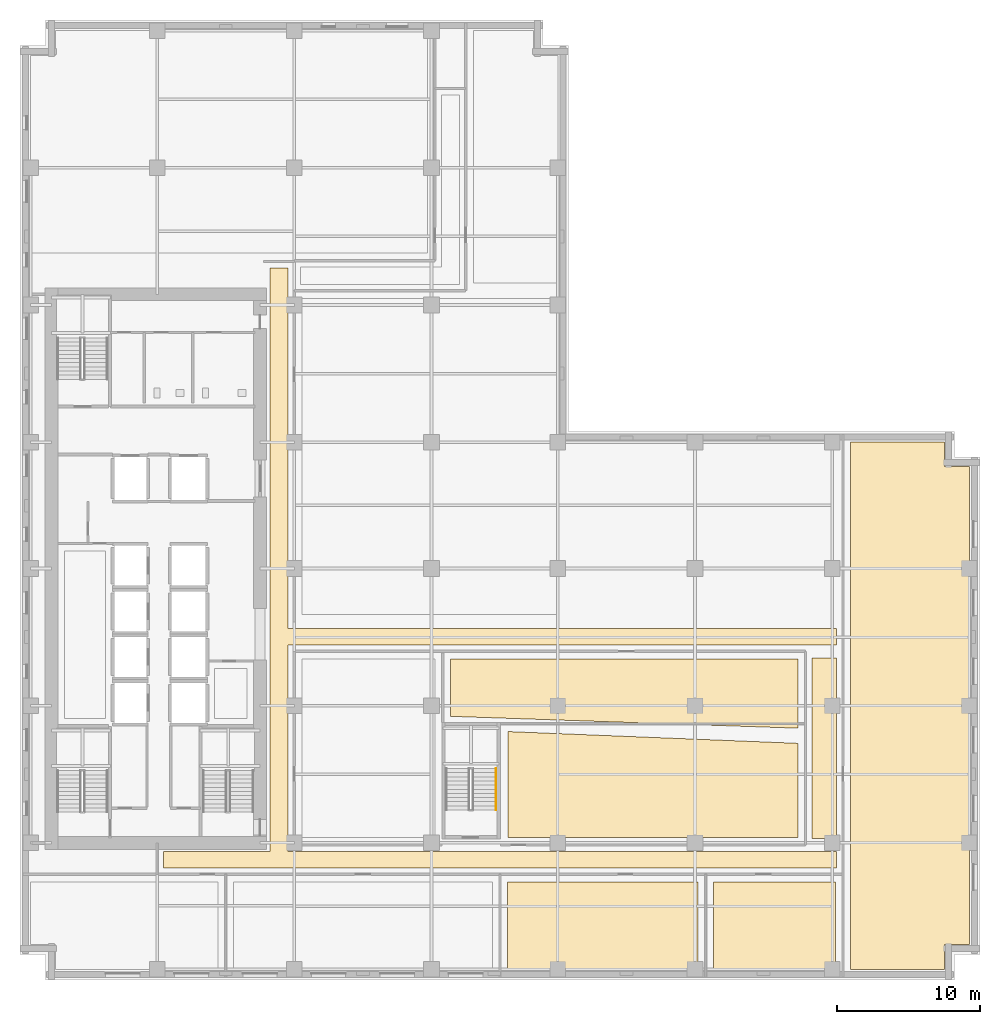
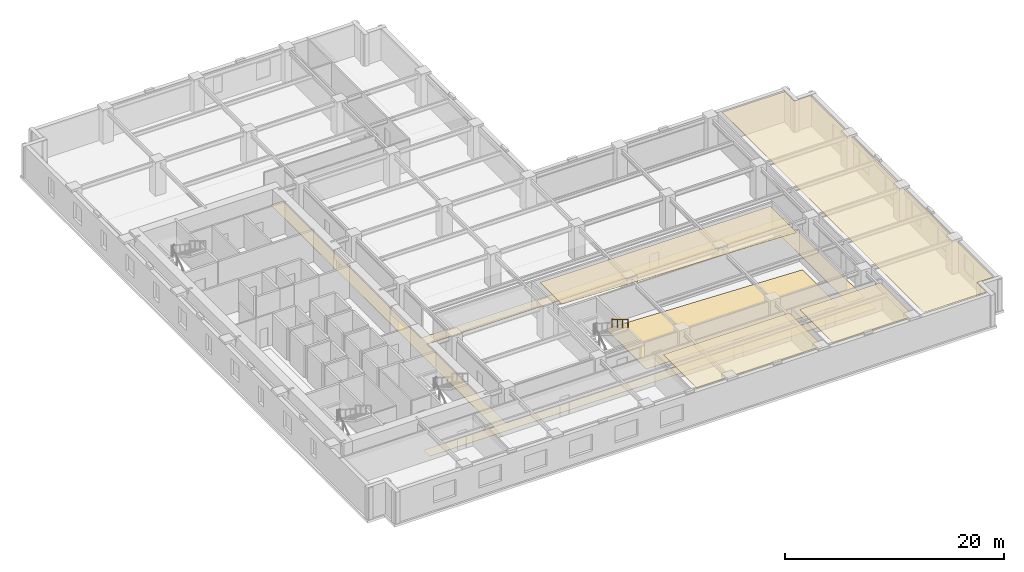
# One storey, part 10 of 13: 7 coverings, 1 railing.
"""IFC4 building model written with IfcOpenShell, lengths in metres."""

from ifc_helpers import new_model, si_unit, direction, frame, origin, origin_2d, place, context, subcontext, project, spatial, polyline, circle, outline, extrude, material, layer, layer_set, type_object, element, save


model = new_model("IFC4")

# Units and contexts
model_context = context("Model", 3, precision=1e-05, world=origin(), true_north=direction((0.0, 1.0)))
body_context = subcontext(model_context, "Body", "Model", "MODEL_VIEW")
ifc_project = project(units=[si_unit("LENGTHUNIT", "METRE"), si_unit("AREAUNIT", "SQUARE_METRE"), si_unit("VOLUMEUNIT", "CUBIC_METRE"), si_unit("PLANEANGLEUNIT", "RADIAN"), si_unit("MASSUNIT", "GRAM", prefix="KILO")], contexts=[model_context])

# Site, building, storey
site_placement = place(None, origin())
site = spatial("IfcSite", under=ifc_project, at=site_placement, CompositionType="ELEMENT")
building_placement = place(site_placement, origin())
building = spatial("IfcBuilding", under=site, at=building_placement, Name="Norrvale University Quadrangle", CompositionType="ELEMENT")
storey_placement = place(building_placement, frame((0.0, 0.0, 81.199951171875)))
storey = spatial("IfcBuildingStorey", under=building, at=storey_placement, Name="L20", CompositionType="ELEMENT", Elevation=81.199951171875)

# Coverings
ifc_material_1 = material(Name="Perforated Acoustic Mineral Ceiling")
ifc_layer_1 = layer(ifc_material_1, 0.02490234375, Name="Perforated Acoustic Mineral Ceiling")
ifc_layer_set_1 = layer_set([ifc_layer_1], Name="Perforated Acoustic Mineral Ceiling")
covering_type_1 = type_object("IfcCoveringType", Name="Covering Acoustic Ceiling 25", PredefinedType="CEILING", material=ifc_layer_set_1)
covering_1_placement = place(storey_placement, frame((0.0, 0.0, 3.51513671875)))
element("IfcCovering", 1, at=covering_1_placement, inside=storey, type_object=covering_type_1, Name="Acoustic Ceiling RM-L20-S03", PredefinedType="CEILING", context=body_context, shape_type="SweptSolid", body=[
    extrude(outline(polyline([(34.1298828125, 6.8701171875), (47.469970703125, 6.8701171875), (47.469970703125, 0.75), (34.1298828125, 0.75), (34.1298828125, 6.8701171875)])), origin(), (0.0, 0.0, 1.0), 0.02490234375),
])
covering_2_placement = place(storey_placement, frame((0.0, 0.0, 3.51513671875)))
element("IfcCovering", 2, at=covering_2_placement, inside=storey, type_object=covering_type_1, Name="Acoustic Ceiling RM-L20-S04", PredefinedType="CEILING", context=body_context, shape_type="SweptSolid", body=[
    extrude(outline(polyline([(48.530029296875, 6.8701171875), (57.070068359375, 6.8701171875), (57.070068359375, 0.75), (48.530029296875, 0.75), (48.530029296875, 6.8701171875)])), origin(), (0.0, 0.0, 1.0), 0.02490234375),
])
covering_3_placement = place(storey_placement, frame((0.0, 0.0, 3.51513671875)))
element("IfcCovering", 3, at=covering_3_placement, inside=storey, type_object=covering_type_1, Name="Acoustic Ceiling RM-L20-E01", PredefinedType="CEILING", context=body_context, shape_type="SweptSolid", body=[
    extrude(outline(polyline([(58.1298828125, 0.75), (58.1298828125, 37.64990234375), (64.72998046875, 37.64990234375), (64.72998046875, 35.929931640625), (66.449951171875, 35.929931640625), (66.449951171875, 2.469970703125), (64.72998046875, 2.469970703125), (64.72998046875, 0.75), (58.1298828125, 0.75)])), origin(), (0.0, 0.0, 1.0), 0.02490234375),
])
covering_4_placement = place(storey_placement, frame((0.0, 0.0, 3.51513671875)))
element("IfcCovering", 4, at=covering_4_placement, inside=storey, type_object=covering_type_1, Name="Acoustic Ceiling RM-L20-ILH", PredefinedType="CEILING", context=body_context, shape_type="SweptSolid", body=[
    extrude(outline(polyline([(30.1298828125, 18.455078125), (30.1298828125, 22.469970703125), (54.445068359375, 22.469970703125), (54.445068359375, 17.6259765625), (30.1298828125, 18.455078125)])), origin(), (0.0, 0.0, 1.0), 0.02490234375),
])
ifc_material_2 = material(Name="Polished Terrazzo Flooring")
ifc_layer_2 = layer(ifc_material_2, 0.02490234375, Name="Polished Terrazzo Flooring")
ifc_layer_set_2 = layer_set([ifc_layer_2], Name="Polished Terrazzo Flooring")
covering_type_2 = type_object("IfcCoveringType", Name="Covering Terrazzo Floor 30", PredefinedType="FLOORING", material=ifc_layer_set_2)
covering_5_placement = place(storey_placement, origin())
element("IfcCovering", 5, at=covering_5_placement, inside=storey, type_object=covering_type_2, Name="Terrazzo Flooring RM-L20-CORR1", PredefinedType="FLOORING", context=body_context, shape_type="SweptSolid", body=[
    extrude(outline(polyline([(10.050048828125, 7.85009765625), (10.050048828125, 9.0), (17.5, 9.0), (17.5, 49.85009765625), (18.75, 49.85009765625), (18.75, 24.60009765625), (57.14990234375, 24.60009765625), (57.14990234375, 23.449951171875), (18.75, 23.449951171875), (18.75, 9.0), (57.14990234375, 9.0), (57.14990234375, 7.85009765625), (10.050048828125, 7.85009765625)])), origin(), (0.0, 0.0, 1.0), 0.025146484375),
])
covering_6_placement = place(storey_placement, origin())
element("IfcCovering", 6, at=covering_6_placement, inside=storey, type_object=covering_type_2, Name="Terrazzo Flooring RM-L20-CORR2", PredefinedType="FLOORING", context=body_context, shape_type="SweptSolid", body=[
    extrude(outline(polyline([(55.425048828125, 9.89990234375), (55.425048828125, 22.550048828125), (57.14990234375, 22.550048828125), (57.14990234375, 9.89990234375), (55.425048828125, 9.89990234375)])), origin(), (0.0, 0.0, 1.0), 0.025146484375),
])
covering_7_placement = place(storey_placement, origin())
element("IfcCovering", 7, at=covering_7_placement, inside=storey, type_object=covering_type_2, Name="Terrazzo Flooring RM-L20-ISE", PredefinedType="FLOORING", context=body_context, shape_type="SweptSolid", body=[
    extrude(outline(polyline([(34.14990234375, 9.97998046875), (34.14990234375, 17.39111328125), (54.445068359375, 16.568115234375), (54.445068359375, 9.97998046875), (34.14990234375, 9.97998046875)])), origin(), (0.0, 0.0, 1.0), 0.025146484375),
])

# Railing
ifc_material_3 = material(Name="Stainless Steel 316L Handrail", Category="steel")
railing_type = type_object("IfcRailingType", Name="Railing Stair Handrail 920", PredefinedType="HANDRAIL", material=ifc_material_3)
railing_placement = place(storey_placement, frame((33.31005859375, 14.800048828125, 2.07275390625)))
element("IfcRailing", 8, at=railing_placement, inside=storey, type_object=railing_type, Name="Stair Upper Flight Handrail ST-04 L20", PredefinedType="HANDRAIL", context=body_context, shape_type="SweptSolid", body=[
    extrude(circle(Radius=0.02392578125, at=origin_2d()), frame((0.0, 0.0, 0.89599609375), z_axis=(0.0, -0.859160404282, 0.51170636083), x_axis=(1.0, 0.0, 0.0)), (0.0, 0.0, 1.0), 3.37548828125),
    extrude(circle(Radius=0.02099609375, at=origin_2d()), origin(), (0.0, 0.0, 1.0), 0.871826171875),
    extrude(circle(Radius=0.02099609375, at=origin_2d()), frame((0.0, -0.966796875, 0.57568359375)), (0.0, 0.0, 1.0), 0.871826171875),
    extrude(circle(Radius=0.02099609375, at=origin_2d()), frame((0.0, -1.933349609375, 1.151611328125)), (0.0, 0.0, 1.0), 0.871826171875),
    extrude(circle(Radius=0.02099609375, at=origin_2d()), frame((0.0, -2.900146484375, 1.727294921875)), (0.0, 0.0, 1.0), 0.871826171875),
])

save(model, "model.ifc")
